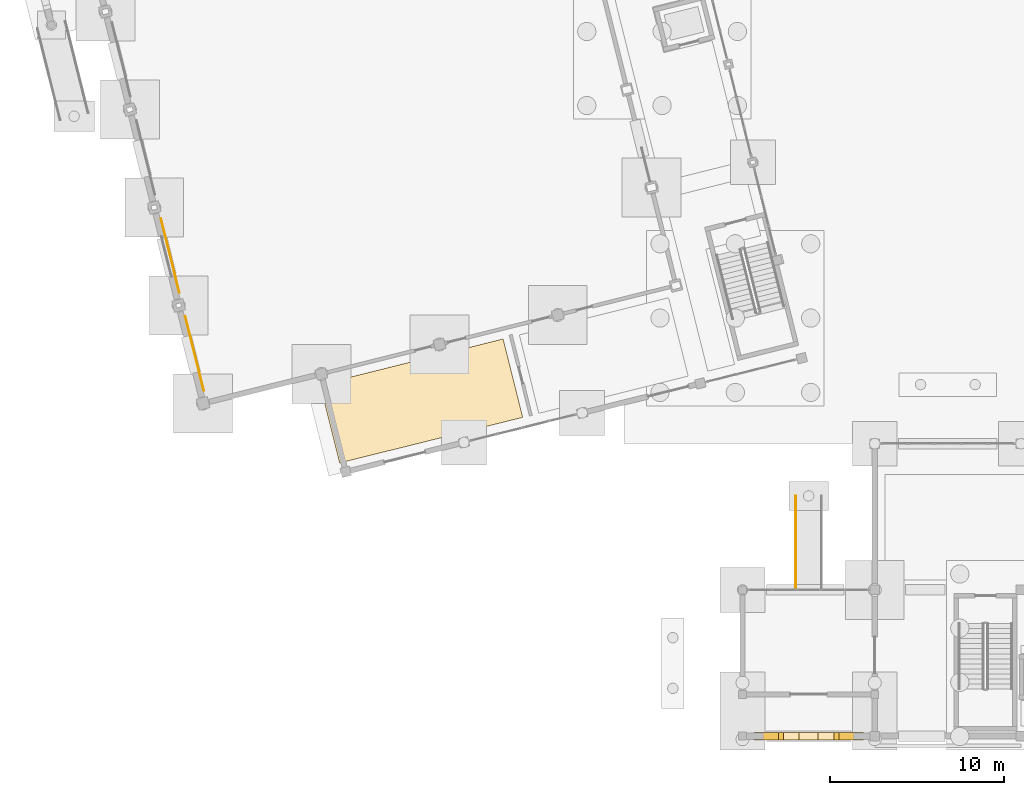
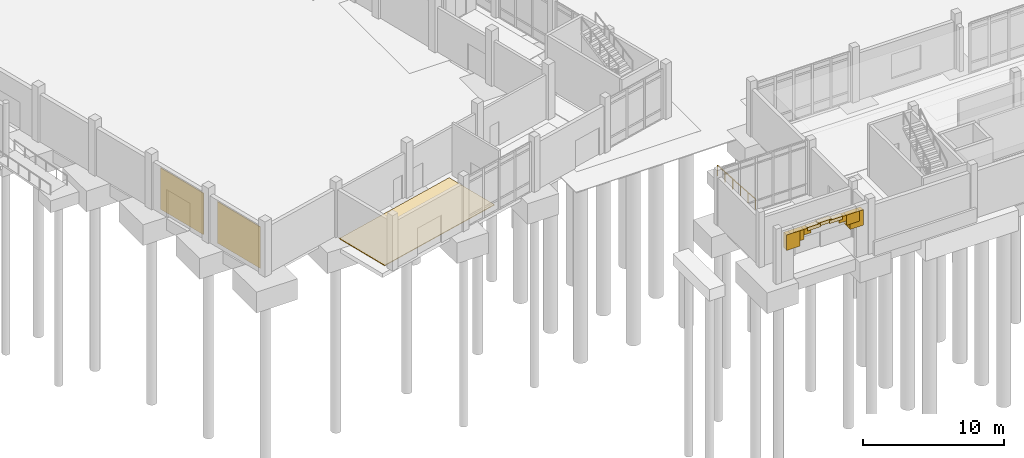
# One storey, part 56 of 72: 12 coverings, 1 railing.
"""IFC4 building model written with IfcOpenShell, lengths in metres."""

from ifc_helpers import new_model, si_unit, direction, frame, origin, origin_2d, place, context, subcontext, project, spatial, polyline, rectangle, circle, outline, extrude, material, layer, layer_set, type_object, element, save


model = new_model("IFC4")

# Units and contexts
model_context = context("Model", 3, precision=1e-05, world=origin(), true_north=direction((0.0, 1.0)))
body_context = subcontext(model_context, "Body", "Model", "MODEL_VIEW")
ifc_project = project(units=[si_unit("LENGTHUNIT", "METRE"), si_unit("AREAUNIT", "SQUARE_METRE"), si_unit("VOLUMEUNIT", "CUBIC_METRE"), si_unit("PLANEANGLEUNIT", "RADIAN"), si_unit("MASSUNIT", "GRAM", prefix="KILO")], contexts=[model_context])

# Site, building, storey
site_placement = place(None, origin())
site = spatial("IfcSite", under=ifc_project, at=site_placement, CompositionType="ELEMENT")
building_placement = place(site_placement, origin())
building = spatial("IfcBuilding", under=site, at=building_placement, Name="Cinderway Yard Community Centre", CompositionType="ELEMENT")
storey_placement = place(building_placement, origin())
storey = spatial("IfcBuildingStorey", under=building, at=storey_placement, Name="L00", CompositionType="ELEMENT", Elevation=0.0)

# Coverings
ifc_material_1 = material(Name="Brick Masonry", Category="masonry")
ifc_layer_1 = layer(ifc_material_1, 0.18994140625, Name="Brick Masonry")
ifc_layer_set_1 = layer_set([ifc_layer_1], Name="Brick Masonry")
covering_type_1 = type_object("IfcCoveringType", Name="ENV-COV-BRK-SCREEN", PredefinedType="CLADDING", material=ifc_layer_set_1)
covering_1_placement = place(storey_placement, frame((51.99609375, 6.0, 2.64794921875), z_axis=(0.0, 0.0, 1.0), x_axis=(1.0, 0.0, 0.0)))
element("IfcCovering", 1, at=covering_1_placement, inside=storey, type_object=covering_type_1, Name="West Storm Arcade Niche Arch Voussoir 1.1", PredefinedType="CLADDING", context=body_context, shape_type="SweptSolid", body=[
    extrude(rectangle(XDim=1.089111328125, YDim=0.419921875, at=origin_2d()), origin(), (0.0, 0.0, 1.0), 1.342041015625),
])
covering_2_placement = place(storey_placement, frame((52.31005859375, 6.0, 3.115478515625), z_axis=(0.0, 0.0, 1.0), x_axis=(1.0, 0.0, 0.0)))
element("IfcCovering", 2, at=covering_2_placement, inside=storey, type_object=covering_type_1, Name="West Storm Arcade Niche Arch Voussoir 1.2", PredefinedType="CLADDING", context=body_context, shape_type="SweptSolid", body=[
    extrude(rectangle(XDim=1.089111328125, YDim=0.419921875, at=origin_2d()), origin(), (0.0, 0.0, 1.0), 0.875),
])
covering_3_placement = place(storey_placement, frame((52.89990234375, 6.0, 3.495361328125), z_axis=(0.0, 0.0, 1.0), x_axis=(1.0, 0.0, 0.0)))
element("IfcCovering", 3, at=covering_3_placement, inside=storey, type_object=covering_type_1, Name="West Storm Arcade Niche Arch Voussoir 1.3", PredefinedType="CLADDING", context=body_context, shape_type="SweptSolid", body=[
    extrude(rectangle(XDim=1.089111328125, YDim=0.419921875, at=origin_2d()), origin(), (0.0, 0.0, 1.0), 0.4951171875),
])
for number, where, z_axis, x_axis, name in (
    (4, (53.696044921875, 6.0, 3.744140625), (0.0, 0.0, 1.0), (1.0, 0.0, 0.0), "West Storm Arcade Niche Arch Voussoir 1.4"),
    (5, (54.60009765625, 6.0, 3.830078125), (0.0, 0.0, 1.0), (1.0, 0.0, 0.0), "West Storm Arcade Niche Arch Voussoir 1.5"),
    (6, (55.50390625, 6.0, 3.744140625), (0.0, 0.0, 1.0), (1.0, 0.0, 0.0), "West Storm Arcade Niche Arch Voussoir 1.6"),
):
    element("IfcCovering", number, at=place(storey_placement, frame(where, z_axis=z_axis, x_axis=x_axis)), inside=storey, type_object=covering_type_1, Name=name, PredefinedType="CLADDING", context=body_context, shape_type="SweptSolid", body=[
        extrude(rectangle(XDim=1.089111328125, YDim=0.419921875, at=origin_2d()), origin(), (0.0, 0.0, 1.0), 0.280029296875),
    ])
covering_4_placement = place(storey_placement, frame((56.300048828125, 6.0, 3.495361328125), z_axis=(0.0, 0.0, 1.0), x_axis=(1.0, 0.0, 0.0)))
element("IfcCovering", 7, at=covering_4_placement, inside=storey, type_object=covering_type_1, Name="West Storm Arcade Niche Arch Voussoir 1.7", PredefinedType="CLADDING", context=body_context, shape_type="SweptSolid", body=[
    extrude(rectangle(XDim=1.089111328125, YDim=0.419921875, at=origin_2d()), origin(), (0.0, 0.0, 1.0), 0.4951171875),
])
covering_5_placement = place(storey_placement, frame((56.889892578125, 6.0, 3.115478515625), z_axis=(0.0, 0.0, 1.0), x_axis=(1.0, 0.0, 0.0)))
element("IfcCovering", 8, at=covering_5_placement, inside=storey, type_object=covering_type_1, Name="West Storm Arcade Niche Arch Voussoir 1.8", PredefinedType="CLADDING", context=body_context, shape_type="SweptSolid", body=[
    extrude(rectangle(XDim=1.089111328125, YDim=0.419921875, at=origin_2d()), origin(), (0.0, 0.0, 1.0), 0.875),
])
covering_6_placement = place(storey_placement, frame((57.2041015625, 6.0, 2.64794921875), z_axis=(0.0, 0.0, 1.0), x_axis=(1.0, 0.0, 0.0)))
element("IfcCovering", 9, at=covering_6_placement, inside=storey, type_object=covering_type_1, Name="West Storm Arcade Niche Arch Voussoir 1.9", PredefinedType="CLADDING", context=body_context, shape_type="SweptSolid", body=[
    extrude(rectangle(XDim=1.089111328125, YDim=0.419921875, at=origin_2d()), origin(), (0.0, 0.0, 1.0), 1.342041015625),
])
ifc_material_2 = material(Name="Acoustic Slotted Brick Liner", Category="masonry")
ifc_layer_2 = layer(ifc_material_2, 0.044921875, Name="Acoustic Slotted Brick Liner")
ifc_layer_set_2 = layer_set([ifc_layer_2], Name="Acoustic Slotted Brick Liner")
covering_type_2 = type_object("IfcCoveringType", Name="INT-COV-CLAD-BRK", PredefinedType="CLADDING", material=ifc_layer_set_2)
for number, where, z_axis, x_axis, name in (
    (10, (19.322021484375, 27.98388671875, 0.0), (0.0, 0.0, 1.0), (0.970295726276, 0.2419218956, 0.0), "Main Hall Acoustic Brick Liner 01"),
    (11, (17.9189453125, 33.611083984375, 0.0), (0.0, 0.0, 1.0), (0.970295726276, 0.2419218956, 0.0), "Main Hall Acoustic Brick Liner 02"),
):
    element("IfcCovering", number, at=place(storey_placement, frame(where, z_axis=z_axis, x_axis=x_axis)), inside=storey, type_object=covering_type_2, Name=name, PredefinedType="CLADDING", context=body_context, shape_type="SweptSolid", body=[
        extrude(rectangle(XDim=0.044921875, YDim=4.39990234375, at=origin_2d()), origin(), (0.0, 0.0, 1.0), 3.60009765625),
    ])
ifc_material_3 = material(Name="Sprung Hardwood Court Floor", Category="wood")
ifc_layer_3 = layer(ifc_material_3, 0.054931640625, Name="Sprung Hardwood Court Floor")
ifc_layer_set_3 = layer_set([ifc_layer_3], Name="Sprung Hardwood Court Floor")
covering_type_3 = type_object("IfcCoveringType", Name="INT-COV-FLR-SPR", PredefinedType="FLOORING", material=ifc_layer_set_3)
covering_7_placement = place(storey_placement, origin())
element("IfcCovering", 12, at=covering_7_placement, inside=storey, type_object=covering_type_3, Name="Interfaith Sanctuary Floor Finish", PredefinedType="FLOORING", context=body_context, shape_type="SweptSolid", body=[
    extrude(outline(polyline([(26.529052734375, 26.194091796875), (37.0458984375, 28.81591796875), (38.1689453125, 24.31494140625), (27.65087890625, 21.69189453125), (26.529052734375, 26.194091796875)])), origin(), (0.0, 0.0, 1.0), 0.054931640625),
])

# Railing
ifc_material_4 = material(Name="Painted Galvanised Steel", Category="steel")
railing_type = type_object("IfcRailingType", Name="INT-RAL-HND090", PredefinedType="HANDRAIL", material=ifc_material_4)
railing_placement = place(storey_placement, frame((53.864013671875, 14.39990234375, 0.179931640625)))
element("IfcRailing", 13, at=railing_placement, inside=storey, type_object=railing_type, Name="West Storm Arcade Courtyard Ramp Handrail R", PredefinedType="HANDRAIL", context=body_context, shape_type="SweptSolid", body=[
    extrude(circle(Radius=0.02392578125, at=origin_2d()), frame((0.0, 0.0, 0.8759765625), z_axis=(0.0, 0.997786953907, -0.066492064291), x_axis=(-1.0, 0.0, 0.0)), (0.0, 0.0, 1.0), 5.412109375),
    extrude(circle(Radius=0.02099609375, at=origin_2d()), origin(), (0.0, 0.0, 1.0), 0.851806640625),
    extrude(circle(Radius=0.02099609375, at=origin_2d()), frame((0.0, 1.080078125, -0.072021484375)), (0.0, 0.0, 1.0), 0.851806640625),
    extrude(circle(Radius=0.02099609375, at=origin_2d()), frame((0.0, 2.16015625, -0.14404296875)), (0.0, 0.0, 1.0), 0.851806640625),
    extrude(circle(Radius=0.02099609375, at=origin_2d()), frame((0.0, 3.239990234375, -0.2158203125)), (0.0, 0.0, 1.0), 0.851806640625),
    extrude(circle(Radius=0.02099609375, at=origin_2d()), frame((0.0, 4.320068359375, -0.287841796875)), (0.0, 0.0, 1.0), 0.851806640625),
    extrude(circle(Radius=0.02099609375, at=origin_2d()), frame((0.0, 5.400146484375, -0.35986328125)), (0.0, 0.0, 1.0), 0.851806640625),
])

save(model, "model.ifc")
